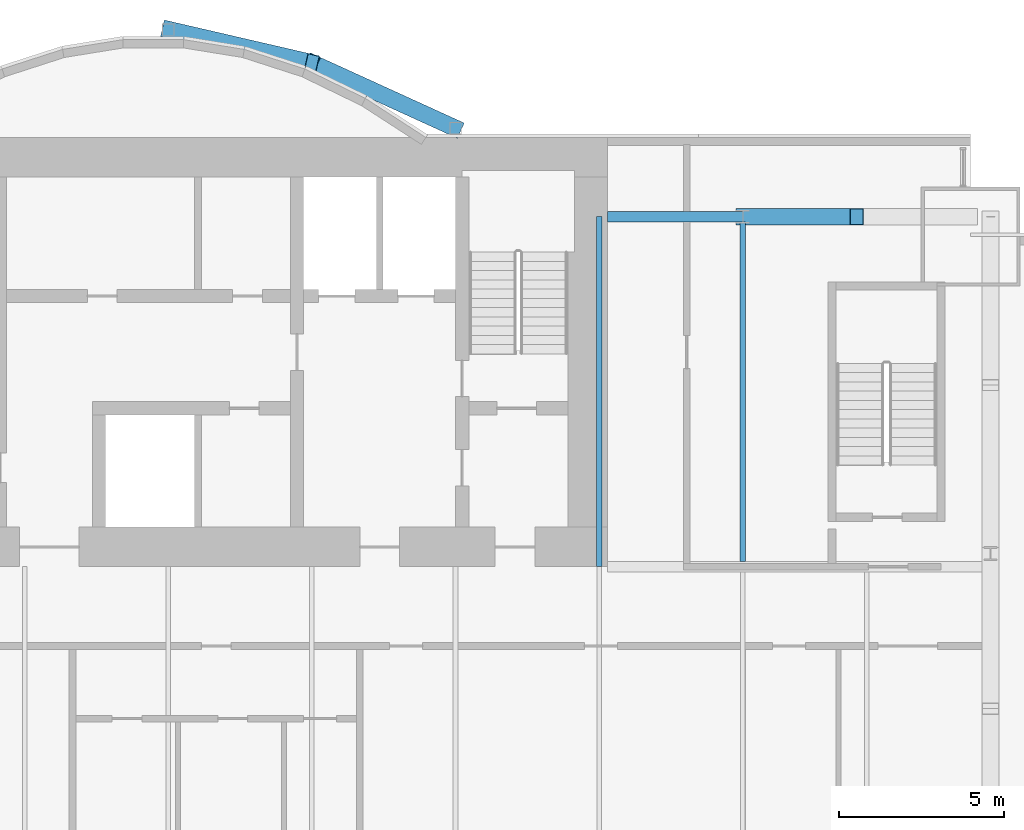
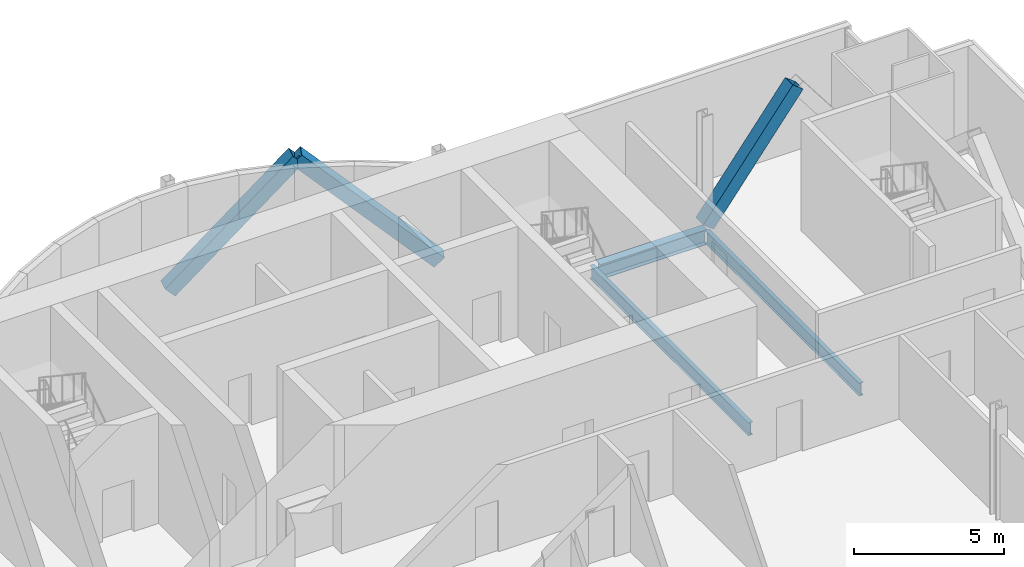
# One storey, part 11 of 21: 3 beams, 3 members.
"""IFC4 building model written with IfcOpenShell, lengths in metres."""

from ifc_helpers import new_model, si_unit, direction, frame, origin, origin_2d, place, context, subcontext, project, spatial, hollow_rectangle, i_section, extrude, material, material_profile, profile_set, type_object, element, save


model = new_model("IFC4")

# Units and contexts
model_context = context("Model", 3, precision=1e-05, world=origin(), true_north=direction((0.0, 1.0)))
body_context = subcontext(model_context, "Body", "Model", "MODEL_VIEW")
ifc_project = project(units=[si_unit("LENGTHUNIT", "METRE"), si_unit("AREAUNIT", "SQUARE_METRE"), si_unit("VOLUMEUNIT", "CUBIC_METRE"), si_unit("PLANEANGLEUNIT", "RADIAN"), si_unit("MASSUNIT", "GRAM", prefix="KILO")], contexts=[model_context])

# Site, building, storey
site_placement = place(None, origin())
site = spatial("IfcSite", under=ifc_project, at=site_placement, CompositionType="ELEMENT")
building_placement = place(site_placement, origin())
building = spatial("IfcBuilding", under=site, at=building_placement, Name="Bicima Exchange Tower", CompositionType="ELEMENT")
storey_placement = place(building_placement, frame((0.0, 0.0, 57.5)))
storey = spatial("IfcBuildingStorey", under=building, at=storey_placement, Name="L11", CompositionType="ELEMENT", Elevation=57.5)

# Beams
ifc_material_1 = material(Name="Steel ASTM A992 Gr 50", Category="steel")
ifc_material_profile_1 = material_profile(ifc_material_1, i_section(OverallWidth=0.165771484375, OverallDepth=0.5283203125, WebThickness=0.009765625, FlangeThickness=0.013671875, at=origin_2d()))
ifc_profile_set_1 = profile_set([ifc_material_profile_1], Name="Steel ASTM A992 Gr 50")
beam_type_1 = type_object("IfcBeamType", Name="Floor beam W21x50", PredefinedType="JOIST", material=ifc_profile_set_1)
beam_1_placement = place(storey_placement, frame((21.75, -2.39990234375, -0.414306640625), z_axis=(0.0, -1.0, 0.0), x_axis=(1.0, 0.0, 0.0)))
element("IfcBeam", 1, at=beam_1_placement, inside=storey, type_object=beam_type_1, Name="Floor beam", PredefinedType="JOIST", context=body_context, shape_type="SweptSolid", body=[
    extrude(i_section(OverallWidth=0.165771484375, OverallDepth=0.5283203125, WebThickness=0.009765625, FlangeThickness=0.013671875, at=origin_2d()), origin(), (0.0, 0.0, 1.0), 10.60009765625),
])
beam_2_placement = place(storey_placement, frame((26.10009765625, -2.5625, -0.414306640625), z_axis=(0.0, -1.0, 0.0), x_axis=(1.0, 0.0, 0.0)))
element("IfcBeam", 2, at=beam_2_placement, inside=storey, type_object=beam_type_1, Name="Floor beam", PredefinedType="JOIST", context=body_context, shape_type="SweptSolid", body=[
    extrude(i_section(OverallWidth=0.165771484375, OverallDepth=0.5283203125, WebThickness=0.009765625, FlangeThickness=0.013671875, at=origin_2d()), origin(), (0.0, 0.0, 1.0), 10.28515625),
])

# Members
ifc_material_2 = material(Name="Steel ASTM A572 Gr 50", Category="steel")
ifc_material_profile_2 = material_profile(ifc_material_2, hollow_rectangle(XDim=0.508056640625, YDim=0.508056640625, WallThickness=0.017822265625, at=origin_2d()))
ifc_profile_set_2 = profile_set([ifc_material_profile_2], Name="Steel ASTM A572 Gr 50")
member_type = type_object("IfcMemberType", Name="Mega brace HSS20x20x3/4", PredefinedType="BRACE", material=ifc_profile_set_2)
member_1_placement = place(storey_placement, frame((8.699951171875, 3.26904296875, 0.0), z_axis=(0.686212303743, -0.158786245837, 0.709858860848), x_axis=(0.225438503722, 0.974257399787, 0.0)))
element("IfcMember", 3, at=member_1_placement, inside=storey, type_object=member_type, Name="Mega brace rexo", PredefinedType="BRACE", context=body_context, shape_type="SweptSolid", body=[
    extrude(hollow_rectangle(XDim=0.508056640625, YDim=0.508056640625, WallThickness=0.017822265625, at=origin_2d()), origin(), (0.0, 0.0, 1.0), 6.33935546875),
])
member_2_placement = place(storey_placement, frame((17.39990234375, 0.278076171875, 0.0), z_axis=(-0.662507516739, 0.302231638101, 0.685375683254), x_axis=(-0.415045223819, -0.909800781592, 0.0)))
element("IfcMember", 4, at=member_2_placement, inside=storey, type_object=member_type, Name="Mega brace rexo", PredefinedType="BRACE", context=body_context, shape_type="SweptSolid", body=[
    extrude(hollow_rectangle(XDim=0.508056640625, YDim=0.508056640625, WallThickness=0.017822265625, at=origin_2d()), origin(), (0.0, 0.0, 1.0), 6.565673828125),
])
member_3_placement = place(storey_placement, frame((26.10009765625, -2.39990234375, 0.0), z_axis=(0.608426120198, 0.0, 0.793610519248), x_axis=(0.0, 1.0, 0.0)))
element("IfcMember", 5, at=member_3_placement, inside=storey, type_object=member_type, Name="Mega brace rear", PredefinedType="BRACE", context=body_context, shape_type="SweptSolid", body=[
    extrude(hollow_rectangle(XDim=0.508056640625, YDim=0.508056640625, WallThickness=0.017822265625, at=origin_2d()), origin(), (0.0, 0.0, 1.0), 5.670166015625),
])

# Beam
ifc_material_profile_3 = material_profile(ifc_material_1, i_section(OverallWidth=0.3251953125, OverallDepth=0.612060546875, WebThickness=0.0126953125, FlangeThickness=0.01904296875, at=origin_2d()))
ifc_profile_set_3 = profile_set([ifc_material_profile_3], Name="Steel ASTM A992 Gr 50")
beam_type_2 = type_object("IfcBeamType", Name="Rear girder W24x104", PredefinedType="BEAM", material=ifc_profile_set_3)
beam_3_placement = place(storey_placement, frame((22.0, -2.39990234375, -0.4560546875), z_axis=(1.0, 0.0, 0.0), x_axis=(0.0, 1.0, 0.0)))
element("IfcBeam", 6, at=beam_3_placement, inside=storey, type_object=beam_type_2, Name="Rear girder", PredefinedType="BEAM", context=body_context, shape_type="SweptSolid", body=[
    extrude(i_section(OverallWidth=0.3251953125, OverallDepth=0.612060546875, WebThickness=0.0126953125, FlangeThickness=0.01904296875, at=origin_2d()), origin(), (0.0, 0.0, 1.0), 4.10009765625),
])

save(model, "model.ifc")
